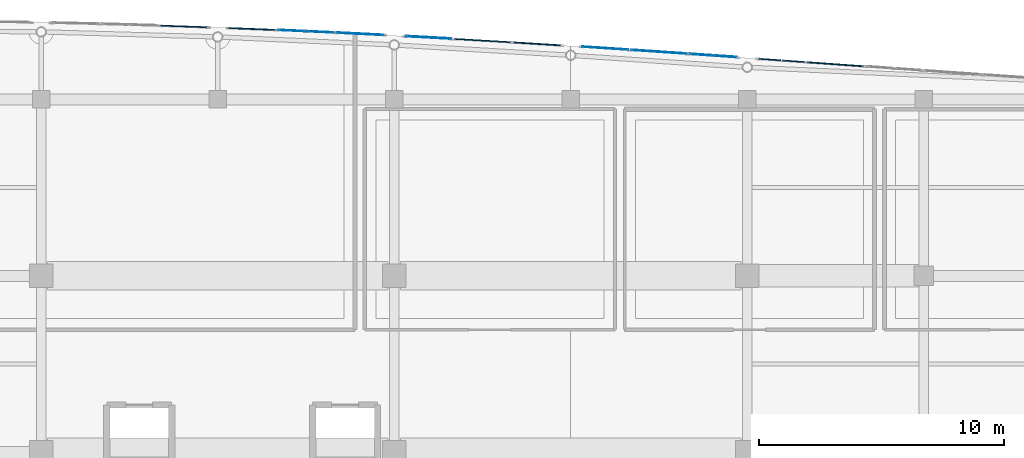
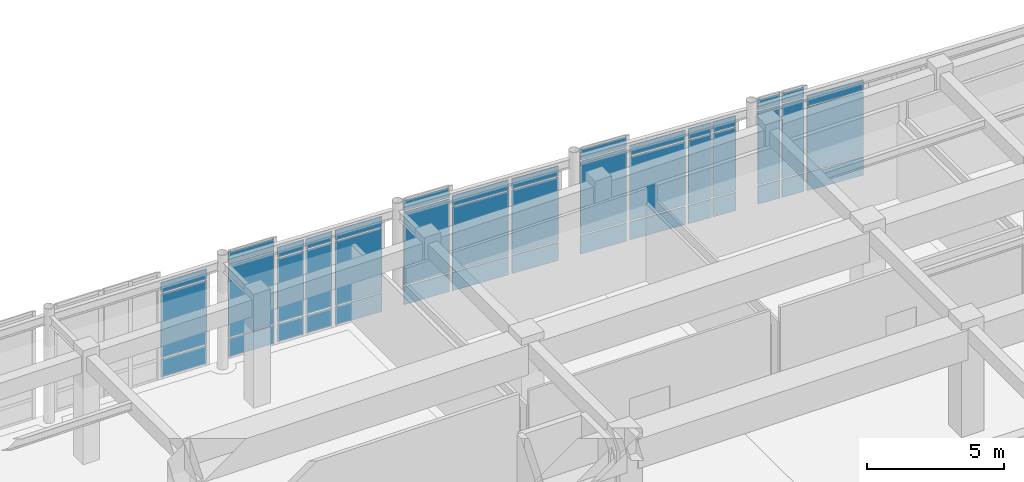
# One storey, part 76 of 117: 45 plates, 12 elements without a shape of their own.
"""IFC4 building model written with IfcOpenShell, lengths in metres."""

from ifc_helpers import new_model, si_unit, direction, frame, origin, origin_2d, place, context, subcontext, project, spatial, rectangle, extrude, material, layer, layer_set, type_object, element, aggregate, save


model = new_model("IFC4")

# Units and contexts
model_context = context("Model", 3, precision=1e-05, world=origin(), true_north=direction((0.0, 1.0)))
body_context = subcontext(model_context, "Body", "Model", "MODEL_VIEW")
ifc_project = project(units=[si_unit("LENGTHUNIT", "METRE"), si_unit("AREAUNIT", "SQUARE_METRE"), si_unit("VOLUMEUNIT", "CUBIC_METRE"), si_unit("PLANEANGLEUNIT", "RADIAN"), si_unit("MASSUNIT", "GRAM", prefix="KILO")], contexts=[model_context])

# Site, building, storey
site_placement = place(None, origin())
site = spatial("IfcSite", under=ifc_project, at=site_placement, CompositionType="ELEMENT")
building_placement = place(site_placement, origin())
building = spatial("IfcBuilding", under=site, at=building_placement, Name="Carrowvane Square Congress Hotel", CompositionType="ELEMENT")
storey_placement = place(building_placement, frame((0.0, 0.0, 5.39990234375)))
storey = spatial("IfcBuildingStorey", under=building, at=storey_placement, Name="L01", CompositionType="ELEMENT", Elevation=5.39990234375)

# Curtain wall, plates
ifc_material_1 = material(Name="Anodised aluminium", Category="aluminium")
ifc_layer_1 = layer(ifc_material_1, 0.24609375)
ifc_layer_set_1 = layer_set([ifc_layer_1], Name="Anodised aluminium")
curtain_wall_type_1 = type_object("IfcCurtainWallType", Name="CW-SYS-8", PredefinedType="NOTDEFINED", material=ifc_layer_set_1)
curtain_wall_1_placement = place(storey_placement, origin())
curtain_wall_1 = element("IfcCurtainWall", 1, at=curtain_wall_1_placement, inside=storey, type_object=curtain_wall_type_1, Name="L01 unitised curtain wall 95", PredefinedType="NOTDEFINED")
ifc_material_2 = material(Name="Double-glazed low-E glass", Category="glass")
ifc_layer_2 = layer(ifc_material_2, 0.028076171875)
ifc_layer_set_2 = layer_set([ifc_layer_2], Name="Double-glazed low-E glass")
plate_type_1 = type_object("IfcPlateType", Name="CW-PAN-1", PredefinedType="CURTAIN_PANEL", material=ifc_layer_set_2)
plate_1_placement = place(storey_placement, frame((115.41748046875, 116.199462890625, 0.070068359375), z_axis=(0.0, 0.0, 1.0), x_axis=(0.998968385726, -0.045411059449, 0.0)))
plate_1 = element("IfcPlate", 2, at=plate_1_placement, type_object=plate_type_1, Name="CW-8 panel 1.1", PredefinedType="CURTAIN_PANEL", context=body_context, shape_type="SweptSolid", body=[
    extrude(rectangle(XDim=1.09619140625, YDim=0.028076171875, at=origin_2d()), origin(), (0.0, 0.0, 1.0), 0.794921875),
])
plate_2_placement = place(storey_placement, frame((115.41748046875, 116.199462890625, 0.93505859375), z_axis=(0.0, 0.0, 1.0), x_axis=(0.998968385726, -0.045411059449, 0.0)))
plate_2 = element("IfcPlate", 3, at=plate_2_placement, type_object=plate_type_1, Name="CW-8 panel 1.2", PredefinedType="CURTAIN_PANEL", context=body_context, shape_type="SweptSolid", body=[
    extrude(rectangle(XDim=1.09619140625, YDim=0.028076171875, at=origin_2d()), origin(), (0.0, 0.0, 1.0), 2.835693359375),
])
plate_3_placement = place(storey_placement, frame((115.41748046875, 116.199462890625, 3.8408203125), z_axis=(0.0, 0.0, 1.0), x_axis=(0.998968385726, -0.045411059449, 0.0)))
plate_3 = element("IfcPlate", 4, at=plate_3_placement, type_object=plate_type_1, Name="CW-8 panel 1.3", PredefinedType="CURTAIN_PANEL", context=body_context, shape_type="SweptSolid", body=[
    extrude(rectangle(XDim=1.09619140625, YDim=0.028076171875, at=origin_2d()), origin(), (0.0, 0.0, 1.0), 0.445068359375),
])
plate_4_placement = place(storey_placement, frame((116.58251953125, 116.146484375, 0.070068359375), z_axis=(0.0, 0.0, 1.0), x_axis=(0.998968385726, -0.045411059449, 0.0)))
plate_4 = element("IfcPlate", 5, at=plate_4_placement, type_object=plate_type_1, Name="CW-8 panel 2.1", PredefinedType="CURTAIN_PANEL", context=body_context, shape_type="SweptSolid", body=[
    extrude(rectangle(XDim=1.09619140625, YDim=0.028076171875, at=origin_2d()), origin(), (0.0, 0.0, 1.0), 0.794921875),
])
plate_5_placement = place(storey_placement, frame((116.58251953125, 116.146484375, 0.93505859375), z_axis=(0.0, 0.0, 1.0), x_axis=(0.998968385726, -0.045411059449, 0.0)))
plate_5 = element("IfcPlate", 6, at=plate_5_placement, type_object=plate_type_1, Name="CW-8 panel 2.2", PredefinedType="CURTAIN_PANEL", context=body_context, shape_type="SweptSolid", body=[
    extrude(rectangle(XDim=1.09619140625, YDim=0.028076171875, at=origin_2d()), origin(), (0.0, 0.0, 1.0), 2.835693359375),
])
plate_6_placement = place(storey_placement, frame((116.58251953125, 116.146484375, 3.8408203125), z_axis=(0.0, 0.0, 1.0), x_axis=(0.998968385726, -0.045411059449, 0.0)))
plate_6 = element("IfcPlate", 7, at=plate_6_placement, type_object=plate_type_1, Name="CW-8 panel 2.3", PredefinedType="CURTAIN_PANEL", context=body_context, shape_type="SweptSolid", body=[
    extrude(rectangle(XDim=1.09619140625, YDim=0.028076171875, at=origin_2d()), origin(), (0.0, 0.0, 1.0), 0.445068359375),
])
aggregate(curtain_wall_1, [plate_1, plate_2, plate_3, plate_4, plate_5, plate_6])

ifc_material_3 = material(Name="Anodised aluminium", Category="aluminium")
ifc_layer_3 = layer(ifc_material_3, 0.2099609375)
ifc_layer_set_3 = layer_set([ifc_layer_3], Name="Anodised aluminium")
curtain_wall_type_2 = type_object("IfcCurtainWallType", Name="CW-SYS-5", PredefinedType="NOTDEFINED", material=ifc_layer_set_3)
curtain_wall_2_placement = place(storey_placement, origin())
curtain_wall_2 = element("IfcCurtainWall", 8, at=curtain_wall_2_placement, inside=storey, type_object=curtain_wall_type_2, Name="L01 unitised curtain wall 100", PredefinedType="NOTDEFINED")
plate_7_placement = place(storey_placement, frame((128.204345703125, 115.482177734375, 0.06005859375), z_axis=(0.0, 0.0, 1.0), x_axis=(0.9978582145, -0.065413941589, 0.0)))
plate_7 = element("IfcPlate", 9, at=plate_7_placement, type_object=plate_type_1, Name="CW-5 panel 1.1", PredefinedType="CURTAIN_PANEL", context=body_context, shape_type="SweptSolid", body=[
    extrude(rectangle(XDim=1.8759765625, YDim=0.028076171875, at=origin_2d()), origin(), (0.0, 0.0, 1.0), 0.81005859375),
])
plate_8_placement = place(storey_placement, frame((128.204345703125, 115.482177734375, 0.93017578125), z_axis=(0.0, 0.0, 1.0), x_axis=(0.9978582145, -0.065413941589, 0.0)))
plate_8 = element("IfcPlate", 10, at=plate_8_placement, type_object=plate_type_1, Name="CW-5 panel 1.2", PredefinedType="CURTAIN_PANEL", context=body_context, shape_type="SweptSolid", body=[
    extrude(rectangle(XDim=1.8759765625, YDim=0.028076171875, at=origin_2d()), origin(), (0.0, 0.0, 1.0), 3.27001953125),
])
plate_9_placement = place(storey_placement, frame((128.204345703125, 115.482177734375, 4.260009765625), z_axis=(0.0, 0.0, 1.0), x_axis=(0.9978582145, -0.065413941589, 0.0)))
plate_9 = element("IfcPlate", 11, at=plate_9_placement, type_object=plate_type_1, Name="CW-5 panel 1.3", PredefinedType="CURTAIN_PANEL", context=body_context, shape_type="SweptSolid", body=[
    extrude(rectangle(XDim=1.8759765625, YDim=0.028076171875, at=origin_2d()), origin(), (0.0, 0.0, 1.0), 0.4599609375),
])
aggregate(curtain_wall_2, [plate_7, plate_8, plate_9])

ifc_material_4 = material(Name="Anodised aluminium", Category="aluminium")
ifc_layer_4 = layer(ifc_material_4, 0.162109375)
ifc_layer_set_4 = layer_set([ifc_layer_4], Name="Anodised aluminium")
curtain_wall_type_3 = type_object("IfcCurtainWallType", Name="CW-SYS-1", PredefinedType="NOTDEFINED", material=ifc_layer_set_4)
curtain_wall_3_placement = place(storey_placement, origin())
curtain_wall_3 = element("IfcCurtainWall", 12, at=curtain_wall_3_placement, inside=storey, type_object=curtain_wall_type_3, Name="L01 unitised curtain wall 96", PredefinedType="NOTDEFINED")
ifc_material_5 = material(Name="Double-glazed low-E glass", Category="glass")
ifc_layer_5 = layer(ifc_material_5, 0.031982421875)
ifc_layer_set_5 = layer_set([ifc_layer_5], Name="Double-glazed low-E glass")
plate_type_2 = type_object("IfcPlateType", Name="CW-PAN-2", PredefinedType="CURTAIN_PANEL", material=ifc_layer_set_5)
plate_10_placement = place(storey_placement, frame((118.2177734375, 116.067138671875, 0.06005859375), z_axis=(0.0, 0.0, 1.0), x_axis=(0.998732955299, -0.050323791596, 0.0)))
plate_10 = element("IfcPlate", 13, at=plate_10_placement, type_object=plate_type_2, Name="CW-1 panel 1.1", PredefinedType="CURTAIN_PANEL", context=body_context, shape_type="SweptSolid", body=[
    extrude(rectangle(XDim=1.91796875, YDim=0.031982421875, at=origin_2d()), origin(), (0.0, 0.0, 1.0), 0.81005859375),
])
plate_11_placement = place(storey_placement, frame((118.2177734375, 116.067138671875, 0.929931640625), z_axis=(0.0, 0.0, 1.0), x_axis=(0.998732955299, -0.050323791596, 0.0)))
plate_11 = element("IfcPlate", 14, at=plate_11_placement, type_object=plate_type_2, Name="CW-1 panel 1.2", PredefinedType="CURTAIN_PANEL", context=body_context, shape_type="SweptSolid", body=[
    extrude(rectangle(XDim=1.91796875, YDim=0.031982421875, at=origin_2d()), origin(), (0.0, 0.0, 1.0), 2.845703125),
])
plate_12_placement = place(storey_placement, frame((118.2177734375, 116.067138671875, 3.835693359375), z_axis=(0.0, 0.0, 1.0), x_axis=(0.998732955299, -0.050323791596, 0.0)))
plate_12 = element("IfcPlate", 15, at=plate_12_placement, type_object=plate_type_2, Name="CW-1 panel 1.3", PredefinedType="CURTAIN_PANEL", context=body_context, shape_type="SweptSolid", body=[
    extrude(rectangle(XDim=1.91796875, YDim=0.031982421875, at=origin_2d()), origin(), (0.0, 0.0, 1.0), 0.4599609375),
])
aggregate(curtain_wall_3, [plate_10, plate_11, plate_12])

ifc_material_6 = material(Name="Anodised aluminium", Category="aluminium")
ifc_layer_6 = layer(ifc_material_6, 0.221923828125)
ifc_layer_set_6 = layer_set([ifc_layer_6], Name="Anodised aluminium")
curtain_wall_type_4 = type_object("IfcCurtainWallType", Name="CW-SYS-6", PredefinedType="NOTDEFINED", material=ifc_layer_set_6)
curtain_wall_4_placement = place(storey_placement, origin())
curtain_wall_4 = element("IfcCurtainWall", 16, at=curtain_wall_4_placement, inside=storey, type_object=curtain_wall_type_4, Name="L01 unitised curtain wall 101", PredefinedType="NOTDEFINED")
plate_13_placement = place(storey_placement, frame((130.39990234375, 115.33544921875, 0.070068359375), z_axis=(0.0, 0.0, 1.0), x_axis=(0.99769420292, -0.067869562107, 0.0)))
plate_13 = element("IfcPlate", 17, at=plate_13_placement, type_object=plate_type_2, Name="CW-6 panel 1.1", PredefinedType="CURTAIN_PANEL", context=body_context, shape_type="SweptSolid", body=[
    extrude(rectangle(XDim=2.265380859375, YDim=0.031982421875, at=origin_2d()), origin(), (0.0, 0.0, 1.0), 0.794921875),
])
plate_14_placement = place(storey_placement, frame((130.39990234375, 115.33544921875, 0.93505859375), z_axis=(0.0, 0.0, 1.0), x_axis=(0.99769420292, -0.067869562107, 0.0)))
plate_14 = element("IfcPlate", 18, at=plate_14_placement, type_object=plate_type_2, Name="CW-6 panel 1.2", PredefinedType="CURTAIN_PANEL", context=body_context, shape_type="SweptSolid", body=[
    extrude(rectangle(XDim=2.265380859375, YDim=0.031982421875, at=origin_2d()), origin(), (0.0, 0.0, 1.0), 2.835693359375),
])
plate_15_placement = place(storey_placement, frame((130.39990234375, 115.33544921875, 3.8408203125), z_axis=(0.0, 0.0, 1.0), x_axis=(0.99769420292, -0.067869562107, 0.0)))
plate_15 = element("IfcPlate", 19, at=plate_15_placement, type_object=plate_type_2, Name="CW-6 panel 1.3", PredefinedType="CURTAIN_PANEL", context=body_context, shape_type="SweptSolid", body=[
    extrude(rectangle(XDim=2.265380859375, YDim=0.031982421875, at=origin_2d()), origin(), (0.0, 0.0, 1.0), 0.445068359375),
])
aggregate(curtain_wall_4, [plate_13, plate_14, plate_15])

ifc_material_7 = material(Name="Anodised aluminium", Category="aluminium")
ifc_layer_7 = layer(ifc_material_7, 0.174072265625)
ifc_layer_set_7 = layer_set([ifc_layer_7], Name="Anodised aluminium")
curtain_wall_type_5 = type_object("IfcCurtainWallType", Name="CW-SYS-2", PredefinedType="NOTDEFINED", material=ifc_layer_set_7)
curtain_wall_5_placement = place(storey_placement, origin())
curtain_wall_5 = element("IfcCurtainWall", 20, at=curtain_wall_5_placement, inside=storey, type_object=curtain_wall_type_5, Name="L01 unitised curtain wall 97", PredefinedType="NOTDEFINED")
ifc_material_8 = material(Name="Double-glazed low-E glass", Category="glass")
ifc_layer_8 = layer(ifc_material_8, 0.035888671875)
ifc_layer_set_8 = layer_set([ifc_layer_8], Name="Double-glazed low-E glass")
plate_type_3 = type_object("IfcPlateType", Name="CW-PAN-3", PredefinedType="CURTAIN_PANEL", material=ifc_layer_set_8)
plate_16_placement = place(storey_placement, frame((121.002197265625, 115.920654296875, 0.070068359375), z_axis=(0.0, 0.0, 1.0), x_axis=(0.998496473856, -0.054815980317, 0.0)))
plate_16 = element("IfcPlate", 21, at=plate_16_placement, type_object=plate_type_3, Name="CW-2 panel 1.1", PredefinedType="CURTAIN_PANEL", context=body_context, shape_type="SweptSolid", body=[
    extrude(rectangle(XDim=1.8583984375, YDim=0.035888671875, at=origin_2d()), origin(), (0.0, 0.0, 1.0), 0.794921875),
])
plate_17_placement = place(storey_placement, frame((121.002197265625, 115.920654296875, 0.93505859375), z_axis=(0.0, 0.0, 1.0), x_axis=(0.998496473856, -0.054815980317, 0.0)))
plate_17 = element("IfcPlate", 22, at=plate_17_placement, type_object=plate_type_3, Name="CW-2 panel 1.2", PredefinedType="CURTAIN_PANEL", context=body_context, shape_type="SweptSolid", body=[
    extrude(rectangle(XDim=1.8583984375, YDim=0.035888671875, at=origin_2d()), origin(), (0.0, 0.0, 1.0), 3.260009765625),
])
plate_18_placement = place(storey_placement, frame((121.002197265625, 115.920654296875, 4.26513671875), z_axis=(0.0, 0.0, 1.0), x_axis=(0.998496473856, -0.054815980317, 0.0)))
plate_18 = element("IfcPlate", 23, at=plate_18_placement, type_object=plate_type_3, Name="CW-2 panel 1.3", PredefinedType="CURTAIN_PANEL", context=body_context, shape_type="SweptSolid", body=[
    extrude(rectangle(XDim=1.8583984375, YDim=0.035888671875, at=origin_2d()), origin(), (0.0, 0.0, 1.0), 0.445068359375),
])
aggregate(curtain_wall_5, [plate_16, plate_17, plate_18])

ifc_material_9 = material(Name="Anodised aluminium", Category="aluminium")
ifc_layer_9 = layer(ifc_material_9, 0.23388671875)
ifc_layer_set_9 = layer_set([ifc_layer_9], Name="Anodised aluminium")
curtain_wall_type_6 = type_object("IfcCurtainWallType", Name="CW-SYS-7", PredefinedType="NOTDEFINED", material=ifc_layer_set_9)
curtain_wall_6_placement = place(storey_placement, origin())
curtain_wall_6 = element("IfcCurtainWall", 24, at=curtain_wall_6_placement, inside=storey, type_object=curtain_wall_type_6, Name="L01 unitised curtain wall 102", PredefinedType="NOTDEFINED")
plate_19_placement = place(storey_placement, frame((132.125732421875, 115.217041015625, 0.06005859375), z_axis=(0.0, 0.0, 1.0), x_axis=(0.997566119277, -0.069726879118, 0.0)))
plate_19 = element("IfcPlate", 25, at=plate_19_placement, type_object=plate_type_3, Name="CW-7 panel 1.1", PredefinedType="CURTAIN_PANEL", context=body_context, shape_type="SweptSolid", body=[
    extrude(rectangle(XDim=0.933837890625, YDim=0.035888671875, at=origin_2d()), origin(), (0.0, 0.0, 1.0), 0.81005859375),
])
plate_20_placement = place(storey_placement, frame((132.125732421875, 115.217041015625, 0.929931640625), z_axis=(0.0, 0.0, 1.0), x_axis=(0.997566119277, -0.069726879118, 0.0)))
plate_20 = element("IfcPlate", 26, at=plate_20_placement, type_object=plate_type_3, Name="CW-7 panel 1.2", PredefinedType="CURTAIN_PANEL", context=body_context, shape_type="SweptSolid", body=[
    extrude(rectangle(XDim=0.933837890625, YDim=0.035888671875, at=origin_2d()), origin(), (0.0, 0.0, 1.0), 2.845703125),
])
plate_21_placement = place(storey_placement, frame((132.125732421875, 115.217041015625, 3.835693359375), z_axis=(0.0, 0.0, 1.0), x_axis=(0.997566119277, -0.069726879118, 0.0)))
plate_21 = element("IfcPlate", 27, at=plate_21_placement, type_object=plate_type_3, Name="CW-7 panel 1.3", PredefinedType="CURTAIN_PANEL", context=body_context, shape_type="SweptSolid", body=[
    extrude(rectangle(XDim=0.933837890625, YDim=0.035888671875, at=origin_2d()), origin(), (0.0, 0.0, 1.0), 0.4599609375),
])
plate_22_placement = place(storey_placement, frame((133.1171875, 115.147705078125, 0.06005859375), z_axis=(0.0, 0.0, 1.0), x_axis=(0.997566119277, -0.069726879118, 0.0)))
plate_22 = element("IfcPlate", 28, at=plate_22_placement, type_object=plate_type_3, Name="CW-7 panel 2.1", PredefinedType="CURTAIN_PANEL", context=body_context, shape_type="SweptSolid", body=[
    extrude(rectangle(XDim=0.933837890625, YDim=0.035888671875, at=origin_2d()), origin(), (0.0, 0.0, 1.0), 0.81005859375),
])
plate_23_placement = place(storey_placement, frame((133.1171875, 115.147705078125, 0.929931640625), z_axis=(0.0, 0.0, 1.0), x_axis=(0.997566119277, -0.069726879118, 0.0)))
plate_23 = element("IfcPlate", 29, at=plate_23_placement, type_object=plate_type_3, Name="CW-7 panel 2.2", PredefinedType="CURTAIN_PANEL", context=body_context, shape_type="SweptSolid", body=[
    extrude(rectangle(XDim=0.933837890625, YDim=0.035888671875, at=origin_2d()), origin(), (0.0, 0.0, 1.0), 2.845703125),
])
plate_24_placement = place(storey_placement, frame((133.1171875, 115.147705078125, 3.835693359375), z_axis=(0.0, 0.0, 1.0), x_axis=(0.997566119277, -0.069726879118, 0.0)))
plate_24 = element("IfcPlate", 30, at=plate_24_placement, type_object=plate_type_3, Name="CW-7 panel 2.3", PredefinedType="CURTAIN_PANEL", context=body_context, shape_type="SweptSolid", body=[
    extrude(rectangle(XDim=0.933837890625, YDim=0.035888671875, at=origin_2d()), origin(), (0.0, 0.0, 1.0), 0.4599609375),
])
aggregate(curtain_wall_6, [plate_19, plate_20, plate_21, plate_22, plate_23, plate_24])

curtain_wall_7_placement = place(storey_placement, origin())
curtain_wall_7 = element("IfcCurtainWall", 31, at=curtain_wall_7_placement, inside=storey, type_object=curtain_wall_type_4, Name="L01 unitised curtain wall 93", PredefinedType="NOTDEFINED")
ifc_material_10 = material(Name="Double-glazed low-E glass", Category="glass")
ifc_layer_10 = layer(ifc_material_10, 0.0419921875)
ifc_layer_set_10 = layer_set([ifc_layer_10], Name="Double-glazed low-E glass")
plate_type_4 = type_object("IfcPlateType", Name="CW-PAN-4", PredefinedType="CURTAIN_PANEL", material=ifc_layer_set_10)
plate_25_placement = place(storey_placement, frame((111.0146484375, 116.371826171875, 0.070068359375), z_axis=(0.0, 0.0, 1.0), x_axis=(0.999403663525, -0.034529948347, 0.0)))
plate_25 = element("IfcPlate", 32, at=plate_25_placement, type_object=plate_type_4, Name="CW-6 panel 1.1", PredefinedType="CURTAIN_PANEL", context=body_context, shape_type="SweptSolid", body=[
    extrude(rectangle(XDim=1.890625, YDim=0.0419921875, at=origin_2d()), origin(), (0.0, 0.0, 1.0), 0.794921875),
])
plate_26_placement = place(storey_placement, frame((111.0146484375, 116.371826171875, 0.93505859375), z_axis=(0.0, 0.0, 1.0), x_axis=(0.999403663525, -0.034529948347, 0.0)))
plate_26 = element("IfcPlate", 33, at=plate_26_placement, type_object=plate_type_4, Name="CW-6 panel 1.2", PredefinedType="CURTAIN_PANEL", context=body_context, shape_type="SweptSolid", body=[
    extrude(rectangle(XDim=1.890625, YDim=0.0419921875, at=origin_2d()), origin(), (0.0, 0.0, 1.0), 2.835693359375),
])
plate_27_placement = place(storey_placement, frame((111.0146484375, 116.371826171875, 3.8408203125), z_axis=(0.0, 0.0, 1.0), x_axis=(0.999403663525, -0.034529948347, 0.0)))
plate_27 = element("IfcPlate", 34, at=plate_27_placement, type_object=plate_type_4, Name="CW-6 panel 1.3", PredefinedType="CURTAIN_PANEL", context=body_context, shape_type="SweptSolid", body=[
    extrude(rectangle(XDim=1.890625, YDim=0.0419921875, at=origin_2d()), origin(), (0.0, 0.0, 1.0), 0.445068359375),
])
aggregate(curtain_wall_7, [plate_25, plate_26, plate_27])

ifc_material_11 = material(Name="Anodised aluminium", Category="aluminium")
ifc_layer_11 = layer(ifc_material_11, 0.18603515625)
ifc_layer_set_11 = layer_set([ifc_layer_11], Name="Anodised aluminium")
curtain_wall_type_7 = type_object("IfcCurtainWallType", Name="CW-SYS-3", PredefinedType="NOTDEFINED", material=ifc_layer_set_11)
curtain_wall_8_placement = place(storey_placement, origin())
curtain_wall_8 = element("IfcCurtainWall", 35, at=curtain_wall_8_placement, inside=storey, type_object=curtain_wall_type_7, Name="L01 unitised curtain wall 98", PredefinedType="NOTDEFINED")
plate_28_placement = place(storey_placement, frame((123.199951171875, 115.795166015625, 0.06005859375), z_axis=(0.0, 0.0, 1.0), x_axis=(0.998266763162, -0.058851249486, 0.0)))
plate_28 = element("IfcPlate", 36, at=plate_28_placement, type_object=plate_type_4, Name="CW-3 panel 1.1", PredefinedType="CURTAIN_PANEL", context=body_context, shape_type="SweptSolid", body=[
    extrude(rectangle(XDim=2.2841796875, YDim=0.0419921875, at=origin_2d()), origin(), (0.0, 0.0, 1.0), 0.81005859375),
])
plate_29_placement = place(storey_placement, frame((123.199951171875, 115.795166015625, 0.929931640625), z_axis=(0.0, 0.0, 1.0), x_axis=(0.998266763162, -0.058851249486, 0.0)))
plate_29 = element("IfcPlate", 37, at=plate_29_placement, type_object=plate_type_4, Name="CW-3 panel 1.2", PredefinedType="CURTAIN_PANEL", context=body_context, shape_type="SweptSolid", body=[
    extrude(rectangle(XDim=2.2841796875, YDim=0.0419921875, at=origin_2d()), origin(), (0.0, 0.0, 1.0), 2.845703125),
])
plate_30_placement = place(storey_placement, frame((123.199951171875, 115.795166015625, 3.835693359375), z_axis=(0.0, 0.0, 1.0), x_axis=(0.998266763162, -0.058851249486, 0.0)))
plate_30 = element("IfcPlate", 38, at=plate_30_placement, type_object=plate_type_4, Name="CW-3 panel 1.3", PredefinedType="CURTAIN_PANEL", context=body_context, shape_type="SweptSolid", body=[
    extrude(rectangle(XDim=2.2841796875, YDim=0.0419921875, at=origin_2d()), origin(), (0.0, 0.0, 1.0), 0.4599609375),
])
aggregate(curtain_wall_8, [plate_28, plate_29, plate_30])

curtain_wall_9_placement = place(storey_placement, origin())
curtain_wall_9 = element("IfcCurtainWall", 39, at=curtain_wall_9_placement, inside=storey, type_object=curtain_wall_type_1, Name="L01 unitised curtain wall 103", PredefinedType="NOTDEFINED")
plate_31_placement = place(storey_placement, frame((134.92529296875, 115.02001953125, 0.070068359375), z_axis=(0.0, 0.0, 1.0), x_axis=(0.997479171673, -0.070959862453, 0.0)))
plate_31 = element("IfcPlate", 40, at=plate_31_placement, type_object=plate_type_4, Name="CW-8 panel 1.1", PredefinedType="CURTAIN_PANEL", context=body_context, shape_type="SweptSolid", body=[
    extrude(rectangle(XDim=0.892333984375, YDim=0.0419921875, at=origin_2d()), origin(), (0.0, 0.0, 1.0), 0.794921875),
])
plate_32_placement = place(storey_placement, frame((134.92529296875, 115.02001953125, 0.93505859375), z_axis=(0.0, 0.0, 1.0), x_axis=(0.997479171673, -0.070959862453, 0.0)))
plate_32 = element("IfcPlate", 41, at=plate_32_placement, type_object=plate_type_4, Name="CW-8 panel 1.2", PredefinedType="CURTAIN_PANEL", context=body_context, shape_type="SweptSolid", body=[
    extrude(rectangle(XDim=0.892333984375, YDim=0.0419921875, at=origin_2d()), origin(), (0.0, 0.0, 1.0), 3.260009765625),
])
plate_33_placement = place(storey_placement, frame((134.92529296875, 115.02001953125, 4.26513671875), z_axis=(0.0, 0.0, 1.0), x_axis=(0.997479171673, -0.070959862453, 0.0)))
plate_33 = element("IfcPlate", 42, at=plate_33_placement, type_object=plate_type_4, Name="CW-8 panel 1.3", PredefinedType="CURTAIN_PANEL", context=body_context, shape_type="SweptSolid", body=[
    extrude(rectangle(XDim=0.892333984375, YDim=0.0419921875, at=origin_2d()), origin(), (0.0, 0.0, 1.0), 0.445068359375),
])
plate_34_placement = place(storey_placement, frame((135.88525390625, 114.951904296875, 0.070068359375), z_axis=(0.0, 0.0, 1.0), x_axis=(0.997479171673, -0.070959862453, 0.0)))
plate_34 = element("IfcPlate", 43, at=plate_34_placement, type_object=plate_type_4, Name="CW-8 panel 2.1", PredefinedType="CURTAIN_PANEL", context=body_context, shape_type="SweptSolid", body=[
    extrude(rectangle(XDim=0.892333984375, YDim=0.0419921875, at=origin_2d()), origin(), (0.0, 0.0, 1.0), 0.794921875),
])
plate_35_placement = place(storey_placement, frame((135.88525390625, 114.951904296875, 0.93505859375), z_axis=(0.0, 0.0, 1.0), x_axis=(0.997479171673, -0.070959862453, 0.0)))
plate_35 = element("IfcPlate", 44, at=plate_35_placement, type_object=plate_type_4, Name="CW-8 panel 2.2", PredefinedType="CURTAIN_PANEL", context=body_context, shape_type="SweptSolid", body=[
    extrude(rectangle(XDim=0.892333984375, YDim=0.0419921875, at=origin_2d()), origin(), (0.0, 0.0, 1.0), 3.260009765625),
])
plate_36_placement = place(storey_placement, frame((135.88525390625, 114.951904296875, 4.26513671875), z_axis=(0.0, 0.0, 1.0), x_axis=(0.997479171673, -0.070959862453, 0.0)))
plate_36 = element("IfcPlate", 45, at=plate_36_placement, type_object=plate_type_4, Name="CW-8 panel 2.3", PredefinedType="CURTAIN_PANEL", context=body_context, shape_type="SweptSolid", body=[
    extrude(rectangle(XDim=0.892333984375, YDim=0.0419921875, at=origin_2d()), origin(), (0.0, 0.0, 1.0), 0.445068359375),
])
aggregate(curtain_wall_9, [plate_31, plate_32, plate_33, plate_34, plate_35, plate_36])

curtain_wall_10_placement = place(storey_placement, origin())
curtain_wall_10 = element("IfcCurtainWall", 46, at=curtain_wall_10_placement, inside=storey, type_object=curtain_wall_type_6, Name="L01 unitised curtain wall 94", PredefinedType="NOTDEFINED")
ifc_material_12 = material(Name="Double-glazed low-E glass", Category="glass")
ifc_layer_12 = layer(ifc_material_12, 0.048095703125)
ifc_layer_set_12 = layer_set([ifc_layer_12], Name="Double-glazed low-E glass")
plate_type_5 = type_object("IfcPlateType", Name="CW-PAN-5", PredefinedType="CURTAIN_PANEL", material=ifc_layer_set_12)
plate_37_placement = place(storey_placement, frame((113.79931640625, 116.267822265625, 0.06005859375), z_axis=(0.0, 0.0, 1.0), x_axis=(0.999194428656, -0.040130957403, 0.0)))
plate_37 = element("IfcPlate", 47, at=plate_37_placement, type_object=plate_type_5, Name="CW-7 panel 1.1", PredefinedType="CURTAIN_PANEL", context=body_context, shape_type="SweptSolid", body=[
    extrude(rectangle(XDim=1.8828125, YDim=0.048095703125, at=origin_2d()), origin(), (0.0, 0.0, 1.0), 0.81005859375),
])
plate_38_placement = place(storey_placement, frame((113.79931640625, 116.267822265625, 0.93017578125), z_axis=(0.0, 0.0, 1.0), x_axis=(0.999194428656, -0.040130957403, 0.0)))
plate_38 = element("IfcPlate", 48, at=plate_38_placement, type_object=plate_type_5, Name="CW-7 panel 1.2", PredefinedType="CURTAIN_PANEL", context=body_context, shape_type="SweptSolid", body=[
    extrude(rectangle(XDim=1.8828125, YDim=0.048095703125, at=origin_2d()), origin(), (0.0, 0.0, 1.0), 3.27001953125),
])
plate_39_placement = place(storey_placement, frame((113.79931640625, 116.267822265625, 4.260009765625), z_axis=(0.0, 0.0, 1.0), x_axis=(0.999194428656, -0.040130957403, 0.0)))
plate_39 = element("IfcPlate", 49, at=plate_39_placement, type_object=plate_type_5, Name="CW-7 panel 1.3", PredefinedType="CURTAIN_PANEL", context=body_context, shape_type="SweptSolid", body=[
    extrude(rectangle(XDim=1.8828125, YDim=0.048095703125, at=origin_2d()), origin(), (0.0, 0.0, 1.0), 0.4599609375),
])
aggregate(curtain_wall_10, [plate_37, plate_38, plate_39])

ifc_material_13 = material(Name="Anodised aluminium", Category="aluminium")
ifc_layer_13 = layer(ifc_material_13, 0.197998046875)
ifc_layer_set_13 = layer_set([ifc_layer_13], Name="Anodised aluminium")
curtain_wall_type_8 = type_object("IfcCurtainWallType", Name="CW-SYS-4", PredefinedType="NOTDEFINED", material=ifc_layer_set_13)
curtain_wall_11_placement = place(storey_placement, origin())
curtain_wall_11 = element("IfcCurtainWall", 50, at=curtain_wall_11_placement, inside=storey, type_object=curtain_wall_type_8, Name="L01 unitised curtain wall 99", PredefinedType="NOTDEFINED")
plate_40_placement = place(storey_placement, frame((125.419921875, 115.66064453125, 0.070068359375), z_axis=(0.0, 0.0, 1.0), x_axis=(0.998051398046, -0.062397170272, 0.0)))
plate_40 = element("IfcPlate", 51, at=plate_40_placement, type_object=plate_type_5, Name="CW-4 panel 1.1", PredefinedType="CURTAIN_PANEL", context=body_context, shape_type="SweptSolid", body=[
    extrude(rectangle(XDim=1.904052734375, YDim=0.048095703125, at=origin_2d()), origin(), (0.0, 0.0, 1.0), 0.794921875),
])
plate_41_placement = place(storey_placement, frame((125.419921875, 115.66064453125, 0.93505859375), z_axis=(0.0, 0.0, 1.0), x_axis=(0.998051398046, -0.062397170272, 0.0)))
plate_41 = element("IfcPlate", 52, at=plate_41_placement, type_object=plate_type_5, Name="CW-4 panel 1.2", PredefinedType="CURTAIN_PANEL", context=body_context, shape_type="SweptSolid", body=[
    extrude(rectangle(XDim=1.904052734375, YDim=0.048095703125, at=origin_2d()), origin(), (0.0, 0.0, 1.0), 2.835693359375),
])
plate_42_placement = place(storey_placement, frame((125.419921875, 115.66064453125, 3.8408203125), z_axis=(0.0, 0.0, 1.0), x_axis=(0.998051398046, -0.062397170272, 0.0)))
plate_42 = element("IfcPlate", 53, at=plate_42_placement, type_object=plate_type_5, Name="CW-4 panel 1.3", PredefinedType="CURTAIN_PANEL", context=body_context, shape_type="SweptSolid", body=[
    extrude(rectangle(XDim=1.904052734375, YDim=0.048095703125, at=origin_2d()), origin(), (0.0, 0.0, 1.0), 0.445068359375),
])
aggregate(curtain_wall_11, [plate_40, plate_41, plate_42])

curtain_wall_12_placement = place(storey_placement, origin())
curtain_wall_12 = element("IfcCurtainWall", 54, at=curtain_wall_12_placement, inside=storey, type_object=curtain_wall_type_3, Name="L01 unitised curtain wall 104", PredefinedType="NOTDEFINED")
plate_43_placement = place(storey_placement, frame((137.60009765625, 114.8291015625, 0.06005859375), z_axis=(0.0, 0.0, 1.0), x_axis=(0.997438322595, -0.071531759512, 0.0)))
plate_43 = element("IfcPlate", 55, at=plate_43_placement, type_object=plate_type_5, Name="CW-1 panel 1.1", PredefinedType="CURTAIN_PANEL", context=body_context, shape_type="SweptSolid", body=[
    extrude(rectangle(XDim=2.2861328125, YDim=0.048095703125, at=origin_2d()), origin(), (0.0, 0.0, 1.0), 0.81005859375),
])
plate_44_placement = place(storey_placement, frame((137.60009765625, 114.8291015625, 0.929931640625), z_axis=(0.0, 0.0, 1.0), x_axis=(0.997438322595, -0.071531759512, 0.0)))
plate_44 = element("IfcPlate", 56, at=plate_44_placement, type_object=plate_type_5, Name="CW-1 panel 1.2", PredefinedType="CURTAIN_PANEL", context=body_context, shape_type="SweptSolid", body=[
    extrude(rectangle(XDim=2.2861328125, YDim=0.048095703125, at=origin_2d()), origin(), (0.0, 0.0, 1.0), 2.845703125),
])
plate_45_placement = place(storey_placement, frame((137.60009765625, 114.8291015625, 3.835693359375), z_axis=(0.0, 0.0, 1.0), x_axis=(0.997438322595, -0.071531759512, 0.0)))
plate_45 = element("IfcPlate", 57, at=plate_45_placement, type_object=plate_type_5, Name="CW-1 panel 1.3", PredefinedType="CURTAIN_PANEL", context=body_context, shape_type="SweptSolid", body=[
    extrude(rectangle(XDim=2.2861328125, YDim=0.048095703125, at=origin_2d()), origin(), (0.0, 0.0, 1.0), 0.4599609375),
])
aggregate(curtain_wall_12, [plate_43, plate_44, plate_45])

save(model, "model.ifc")
